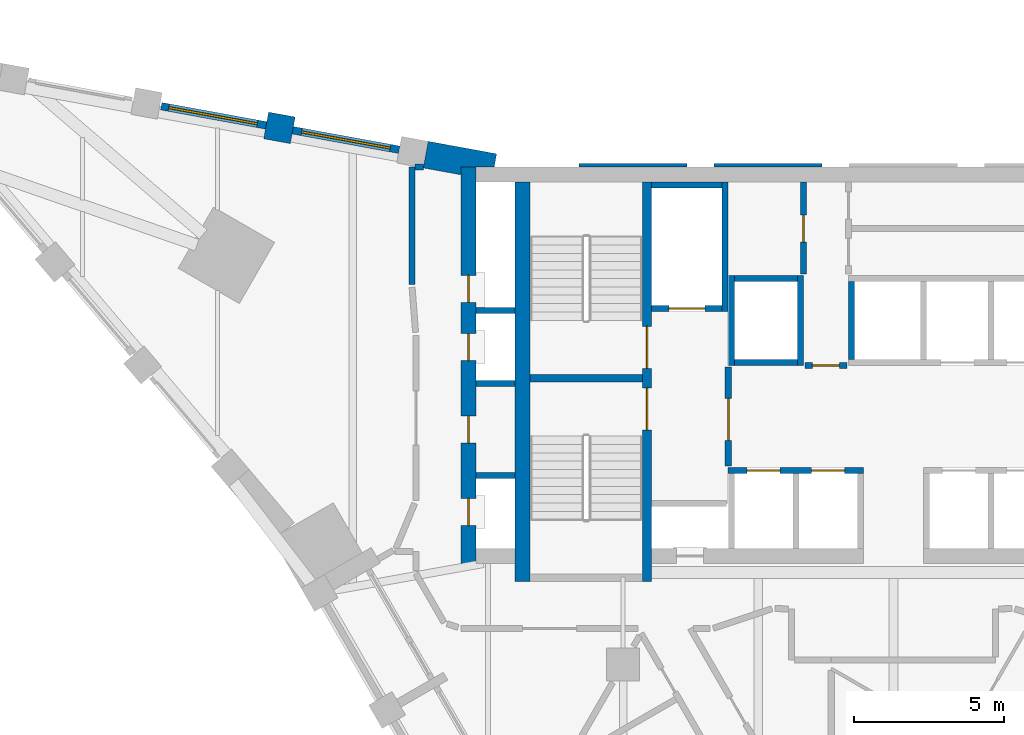
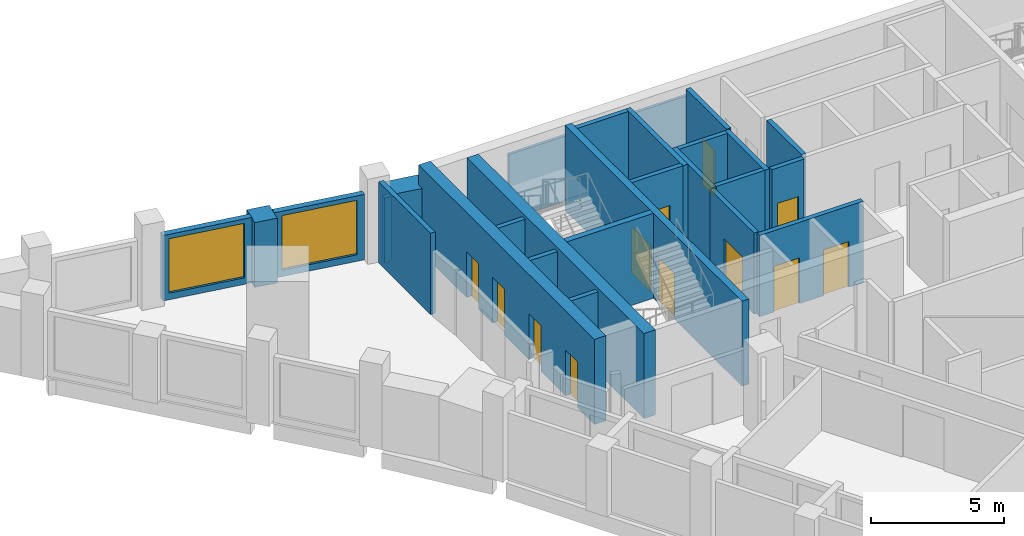
# One storey, part 6 of 9: 27 walls, 12 doors, 2 windows, 14 openings.
"""IFC4 building model written with IfcOpenShell, lengths in metres."""

from ifc_helpers import new_model, si_unit, direction, frame, frame_2d, origin, place, context, subcontext, project, spatial, polyline, rectangle, outline, extrude, material, layer, layer_set, type_object, element, fill, save


model = new_model("IFC4")

# Units and contexts
model_context = context("Model", 3, precision=1e-05, world=origin(), true_north=direction((0.0, 1.0)))
body_context = subcontext(model_context, "Body", "Model", "MODEL_VIEW")
ifc_project = project(units=[si_unit("LENGTHUNIT", "METRE"), si_unit("AREAUNIT", "SQUARE_METRE"), si_unit("VOLUMEUNIT", "CUBIC_METRE"), si_unit("PLANEANGLEUNIT", "RADIAN"), si_unit("MASSUNIT", "GRAM", prefix="KILO")], contexts=[model_context])

# Site, building, storey
site_placement = place(None, origin())
site = spatial("IfcSite", under=ifc_project, at=site_placement, CompositionType="ELEMENT")
building_placement = place(site_placement, origin())
building = spatial("IfcBuilding", under=site, at=building_placement, Name="Calabash Gate Tower", CompositionType="ELEMENT")
storey_placement = place(building_placement, frame((0.0, 0.0, 239.300048828125)))
storey = spatial("IfcBuildingStorey", under=building, at=storey_placement, Name="L57", CompositionType="ELEMENT", Elevation=239.300048828125)

# Walls
ifc_material_1 = material(Name="Terracotta brick masonry, exposed face", Category="masonry")
ifc_layer_1 = layer(ifc_material_1, 0.89990234375)
ifc_layer_set_1 = layer_set([ifc_layer_1], Name="Brick end wall 900")
wall_type_1 = type_object("IfcWallType", Name="Brick end wall 900", PredefinedType="SOLIDWALL", material=ifc_layer_set_1)
wall_1_placement = place(storey_placement, frame((-20.52099609375, 19.91796875, 0.0), z_axis=(0.0, 0.0, 1.0), x_axis=(0.180126650564, 0.983643426124, 0.0)))
element("IfcWall", 1, at=wall_1_placement, inside=storey, type_object=wall_type_1, Name="Brick pier S16 wedge5.1", PredefinedType="SOLIDWALL", context=body_context, shape_type="SweptSolid", body=[
    extrude(rectangle(XDim=0.89990234375, YDim=0.89990234375, at=frame_2d((0.449951171875, 0.0))), origin(), (0.0, 0.0, 1.0), 2.973388671875),
])
wall_2_placement = place(storey_placement, origin())
element("IfcWall", 2, at=wall_2_placement, inside=storey, type_object=wall_type_1, Name="Brick end wall S16 1", PredefinedType="SOLIDWALL", context=body_context, shape_type="SweptSolid", body=[
    extrude(outline(polyline([(-15.651611328125, 19.02734375), (-15.65185546875, 19.027099609375), (-14.39990234375, 18.798095703125), (-14.39990234375, 19.052490234375), (-13.291015625, 19.052490234375), (-13.2099609375, 19.4951171875), (-15.489501953125, 19.912353515625), (-15.6513671875, 19.02734375), (-15.651611328125, 19.02734375)])), origin(), (0.0, 0.0, 1.0), 2.973388671875),
])
ifc_material_2 = material(Name="Concrete C70/85", Category="concrete")
ifc_layer_2 = layer(ifc_material_2, 0.25)
ifc_layer_set_2 = layer_set([ifc_layer_2], Name="Core wall 250 Concrete C70/85")
wall_type_2 = type_object("IfcWallType", Name="Core wall 250 Concrete C70/85", PredefinedType="SHEAR", material=ifc_layer_set_2)
wall_3_placement = place(storey_placement, frame((-12.10009765625, 12.027587890625, 0.0), z_axis=(0.0, 0.0, 1.0), x_axis=(1.0, 0.0, 0.0)))
element("IfcWall", 3, at=wall_3_placement, inside=storey, type_object=wall_type_2, Name="Core wall Z4-MIDW L57", PredefinedType="SHEAR", context=body_context, shape_type="SweptSolid", body=[
    extrude(rectangle(XDim=3.75, YDim=0.25, at=frame_2d((1.875, 0.0))), origin(), (0.0, 0.0, 1.0), 3.89990234375),
])

# Wall, openings, doors
ifc_material_3 = material(Name="Concrete C70/85", Category="concrete")
ifc_layer_3 = layer(ifc_material_3, 0.300048828125)
ifc_layer_set_3 = layer_set([ifc_layer_3], Name="Core wall 300 Concrete C70/85")
wall_type_3 = type_object("IfcWallType", Name="Core wall 300 Concrete C70/85", PredefinedType="SHEAR", material=ifc_layer_set_3)
wall_4_placement = place(storey_placement, frame((-8.199951171875, 5.252685546875, 0.0), z_axis=(0.0, 0.0, 1.0), x_axis=(0.0, 1.0, 0.0)))
wall_4 = element("IfcWall", 4, at=wall_4_placement, inside=storey, type_object=wall_type_3, Name="Core wall Z4-PARTW L57", PredefinedType="SHEAR", context=body_context, shape_type="SweptSolid", body=[
    extrude(rectangle(XDim=13.2998046875, YDim=0.300048828125, at=frame_2d((6.64990234375, 0.0))), origin(), (0.0, 0.0, 1.0), 3.89990234375),
])
opening_1_placement = place(wall_4_placement, frame((7.10009765625, 0.0, 0.0)))
opening_1 = element("IfcOpeningElement", 5, at=opening_1_placement, cuts=wall_4, Name="Opening O8-017", PredefinedType="OPENING", context=body_context, shape_type="SweptSolid", body=[
    extrude(rectangle(XDim=1.39990234375, YDim=2.10009765625, at=frame_2d((0.699951171875, 1.050048828125))), frame((0.0, 0.159912109375, 0.0), z_axis=(0.0, -1.0, 0.0), x_axis=(1.0, 0.0, 0.0)), (0.0, 0.0, 1.0), 0.320068359375),
])
opening_2_placement = place(wall_4_placement, frame((5.050048828125, 0.0, 0.0)))
opening_2 = element("IfcOpeningElement", 6, at=opening_2_placement, cuts=wall_4, Name="Opening O8-018", PredefinedType="OPENING", context=body_context, shape_type="SweptSolid", body=[
    extrude(rectangle(XDim=1.39990234375, YDim=2.10009765625, at=frame_2d((0.699951171875, 1.050048828125))), frame((0.0, 0.159912109375, 0.0), z_axis=(0.0, -1.0, 0.0), x_axis=(1.0, 0.0, 0.0)), (0.0, 0.0, 1.0), 0.320068359375),
])
ifc_material_4 = material(Name="Steel fire door set with fire-resisting glazing", Category="steel")
door_type_1 = type_object("IfcDoorType", Name="Fire door D05 1400x2100 FD90", OperationType="NOTDEFINED", PredefinedType="DOOR", material=ifc_material_4)
door_1_placement = place(opening_1_placement, origin())
door_1 = element("IfcDoor", 7, at=door_1_placement, inside=storey, type_object=door_type_1, Name="Exit stair door ST1", OperationType="SINGLE_SWING_LEFT", OverallHeight=2.10009765625, OverallWidth=1.39990234375, PredefinedType="DOOR", context=body_context, shape_type="SweptSolid", body=[
    extrude(rectangle(XDim=1.39990234375, YDim=2.10009765625, at=frame_2d((0.699951171875, 1.050048828125))), frame((0.0, 0.02490234375, 0.0), z_axis=(0.0, -1.0, 0.0), x_axis=(1.0, 0.0, 0.0)), (0.0, 0.0, 1.0), 0.050048828125),
])
fill(opening_1, door_1)
door_2_placement = place(opening_2_placement, origin())
door_2 = element("IfcDoor", 8, at=door_2_placement, inside=storey, type_object=door_type_1, Name="Exit stair door ST2", OperationType="SINGLE_SWING_LEFT", OverallHeight=2.10009765625, OverallWidth=1.39990234375, PredefinedType="DOOR", context=body_context, shape_type="SweptSolid", body=[
    extrude(rectangle(XDim=1.39990234375, YDim=2.10009765625, at=frame_2d((0.699951171875, 1.050048828125))), frame((0.0, 0.02490234375, 0.0), z_axis=(0.0, -1.0, 0.0), x_axis=(1.0, 0.0, 0.0)), (0.0, 0.0, 1.0), 0.050048828125),
])
fill(opening_2, door_2)

# Wall
ifc_material_5 = material(Name="Concrete C70/85", Category="concrete")
ifc_layer_4 = layer(ifc_material_5, 0.5)
ifc_layer_set_4 = layer_set([ifc_layer_4], Name="Core wall 500 Concrete C70/85")
wall_type_4 = type_object("IfcWallType", Name="Core wall 500 Concrete C70/85", PredefinedType="SHEAR", material=ifc_layer_set_4)
wall_5_placement = place(storey_placement, frame((-12.35009765625, 5.252685546875, 0.0), z_axis=(0.0, 0.0, 1.0), x_axis=(0.0, 1.0, 0.0)))
element("IfcWall", 9, at=wall_5_placement, inside=storey, type_object=wall_type_4, Name="Core wall Z4-COLW L57", PredefinedType="SHEAR", context=body_context, shape_type="SweptSolid", body=[
    extrude(rectangle(XDim=13.2998046875, YDim=0.5, at=frame_2d((6.64990234375, 0.0))), origin(), (0.0, 0.0, 1.0), 3.89990234375),
])

# Wall, openings, doors
wall_6_placement = place(storey_placement, frame((-14.14990234375, 5.8525390625, 0.0), z_axis=(0.0, 0.0, 1.0), x_axis=(0.0, 1.0, 0.0)))
wall_6 = element("IfcWall", 10, at=wall_6_placement, inside=storey, type_object=wall_type_4, Name="Core wall Z4-ENDW L57", PredefinedType="SHEAR", context=body_context, shape_type="SweptSolid", body=[
    extrude(rectangle(XDim=13.199951171875, YDim=0.5, at=frame_2d((6.60009765625, 0.0))), origin(), (0.0, 0.0, 1.0), 3.89990234375),
])
opening_3_placement = place(wall_6_placement, frame((1.27001953125, 0.0, 0.0)))
opening_3 = element("IfcOpeningElement", 11, at=opening_3_placement, cuts=wall_6, Name="Opening O8-005", PredefinedType="OPENING", context=body_context, shape_type="SweptSolid", body=[
    extrude(rectangle(XDim=0.89990234375, YDim=2.10009765625, at=frame_2d((0.449951171875, 1.050048828125))), frame((0.0, 0.260009765625, 0.0), z_axis=(0.0, -1.0, 0.0), x_axis=(1.0, 0.0, 0.0)), (0.0, 0.0, 1.0), 0.52001953125),
])
opening_4_placement = place(wall_6_placement, frame((4.014892578125, 0.0, 0.0)))
opening_4 = element("IfcOpeningElement", 12, at=opening_4_placement, cuts=wall_6, Name="Opening O8-006", PredefinedType="OPENING", context=body_context, shape_type="SweptSolid", body=[
    extrude(rectangle(XDim=0.89990234375, YDim=2.10009765625, at=frame_2d((0.449951171875, 1.050048828125))), frame((0.0, 0.260009765625, 0.0), z_axis=(0.0, -1.0, 0.0), x_axis=(1.0, 0.0, 0.0)), (0.0, 0.0, 1.0), 0.52001953125),
])
opening_5_placement = place(wall_6_placement, frame((6.760009765625, 0.0, 0.0)))
opening_5 = element("IfcOpeningElement", 13, at=opening_5_placement, cuts=wall_6, Name="Opening O8-007", PredefinedType="OPENING", context=body_context, shape_type="SweptSolid", body=[
    extrude(rectangle(XDim=0.89990234375, YDim=2.10009765625, at=frame_2d((0.449951171875, 1.050048828125))), frame((0.0, 0.260009765625, 0.0), z_axis=(0.0, -1.0, 0.0), x_axis=(1.0, 0.0, 0.0)), (0.0, 0.0, 1.0), 0.52001953125),
])
opening_6_placement = place(wall_6_placement, frame((8.697509765625, 0.0, 0.0)))
opening_6 = element("IfcOpeningElement", 14, at=opening_6_placement, cuts=wall_6, Name="Opening O8-008", PredefinedType="OPENING", context=body_context, shape_type="SweptSolid", body=[
    extrude(rectangle(XDim=0.89990234375, YDim=2.10009765625, at=frame_2d((0.449951171875, 1.050048828125))), frame((0.0, 0.260009765625, 0.0), z_axis=(0.0, -1.0, 0.0), x_axis=(1.0, 0.0, 0.0)), (0.0, 0.0, 1.0), 0.52001953125),
])
ifc_material_6 = material(Name="Steel fire door set with fire-resisting glazing", Category="steel")
door_type_2 = type_object("IfcDoorType", Name="Fire door D06 900x2100 FD60", OperationType="NOTDEFINED", PredefinedType="DOOR", material=ifc_material_6)
door_3_placement = place(opening_3_placement, origin())
door_3 = element("IfcDoor", 15, at=door_3_placement, inside=storey, type_object=door_type_2, Name="Comms Riser door", OperationType="SINGLE_SWING_LEFT", OverallHeight=2.10009765625, OverallWidth=0.89990234375, PredefinedType="DOOR", context=body_context, shape_type="SweptSolid", body=[
    extrude(rectangle(XDim=0.89990234375, YDim=2.10009765625, at=frame_2d((0.449951171875, 1.050048828125))), frame((0.0, 0.02490234375, 0.0), z_axis=(0.0, -1.0, 0.0), x_axis=(1.0, 0.0, 0.0)), (0.0, 0.0, 1.0), 0.050048828125),
])
fill(opening_3, door_3)
door_4_placement = place(opening_4_placement, origin())
door_4 = element("IfcDoor", 16, at=door_4_placement, inside=storey, type_object=door_type_2, Name="Cleaner's Store door", OperationType="SINGLE_SWING_LEFT", OverallHeight=2.10009765625, OverallWidth=0.89990234375, PredefinedType="DOOR", context=body_context, shape_type="SweptSolid", body=[
    extrude(rectangle(XDim=0.89990234375, YDim=2.10009765625, at=frame_2d((0.449951171875, 1.050048828125))), frame((0.0, 0.02490234375, 0.0), z_axis=(0.0, -1.0, 0.0), x_axis=(1.0, 0.0, 0.0)), (0.0, 0.0, 1.0), 0.050048828125),
])
fill(opening_4, door_4)
door_5_placement = place(opening_5_placement, origin())
door_5 = element("IfcDoor", 17, at=door_5_placement, inside=storey, type_object=door_type_2, Name="Duct Riser door", OperationType="SINGLE_SWING_LEFT", OverallHeight=2.10009765625, OverallWidth=0.89990234375, PredefinedType="DOOR", context=body_context, shape_type="SweptSolid", body=[
    extrude(rectangle(XDim=0.89990234375, YDim=2.10009765625, at=frame_2d((0.449951171875, 1.050048828125))), frame((0.0, 0.02490234375, 0.0), z_axis=(0.0, -1.0, 0.0), x_axis=(1.0, 0.0, 0.0)), (0.0, 0.0, 1.0), 0.050048828125),
])
fill(opening_5, door_5)
door_6_placement = place(opening_6_placement, origin())
door_6 = element("IfcDoor", 18, at=door_6_placement, inside=storey, type_object=door_type_2, Name="Electrical Riser door", OperationType="SINGLE_SWING_LEFT", OverallHeight=2.10009765625, OverallWidth=0.89990234375, PredefinedType="DOOR", context=body_context, shape_type="SweptSolid", body=[
    extrude(rectangle(XDim=0.89990234375, YDim=2.10009765625, at=frame_2d((0.449951171875, 1.050048828125))), frame((0.0, 0.02490234375, 0.0), z_axis=(0.0, -1.0, 0.0), x_axis=(1.0, 0.0, 0.0)), (0.0, 0.0, 1.0), 0.050048828125),
])
fill(opening_6, door_6)

# Walls
ifc_material_7 = material(Name="Gypsum board on steel studs, mineral wool", Category="steel")
ifc_layer_5 = layer(ifc_material_7, 0.199951171875)
ifc_layer_set_5 = layer_set([ifc_layer_5], Name="Partition 200 gypsum board EI 60")
wall_type_5 = type_object("IfcWallType", Name="Partition 200 gypsum board EI 60", PredefinedType="PARTITIONING", material=ifc_layer_set_5)
wall_7_placement = place(storey_placement, frame((-16.031982421875, 15.152587890625, 0.0), z_axis=(0.0, 0.0, 1.0), x_axis=(0.0, 1.0, 0.0)))
element("IfcWall", 19, at=wall_7_placement, inside=storey, type_object=wall_type_5, Name="Partition", PredefinedType="PARTITIONING", context=body_context, shape_type="SweptSolid", body=[
    extrude(rectangle(XDim=3.900146484375, YDim=0.199951171875, at=frame_2d((1.9501953125, 0.0))), origin(), (0.0, 0.0, 1.0), 3.72998046875),
])
wall_8_placement = place(storey_placement, frame((-15.931884765625, 19.052734375, 0.0), z_axis=(0.0, 0.0, 1.0), x_axis=(1.0, 0.0, 0.0)))
element("IfcWall", 20, at=wall_8_placement, inside=storey, type_object=wall_type_5, Name="Partition", PredefinedType="PARTITIONING", context=body_context, shape_type="SweptSolid", body=[
    extrude(rectangle(XDim=0.28515625, YDim=0.199951171875, at=frame_2d((0.142578125, 0.0))), origin(), (0.0, 0.0, 1.0), 2.973388671875),
])

# Wall, opening, window
ifc_material_8 = material(Name="Aluminium framed window wall with insulated spandrel", Category="aluminium")
ifc_layer_6 = layer(ifc_material_8, 0.25)
ifc_layer_set_6 = layer_set([ifc_layer_6], Name="Prow window wall 250")
wall_type_6 = type_object("IfcWallType", Name="Prow window wall 250", PredefinedType="ELEMENTEDWALL", material=ifc_layer_set_6)
wall_9_placement = place(storey_placement, frame((-16.4560546875, 19.631591796875, 0.0), z_axis=(0.0, 0.0, 1.0), x_axis=(-0.983669647318, 0.17998340186, 0.0)))
wall_9 = element("IfcWall", 21, at=wall_9_placement, inside=storey, type_object=wall_type_6, Name="Prow window wall S16 wedge5.1", PredefinedType="ELEMENTEDWALL", context=body_context, shape_type="SweptSolid", body=[
    extrude(rectangle(XDim=3.60009765625, YDim=0.25, at=frame_2d((1.800048828125, 0.0))), origin(), (0.0, 0.0, 1.0), 3.0),
])
opening_7_placement = place(wall_9_placement, frame((0.300048828125, 0.0, 0.300048828125)))
opening_7 = element("IfcOpeningElement", 22, at=opening_7_placement, cuts=wall_9, Name="Opening WP2", PredefinedType="OPENING", context=body_context, shape_type="SweptSolid", body=[
    extrude(rectangle(XDim=3.0, YDim=2.5, at=frame_2d((1.5, 1.25))), frame((0.0, 0.135009765625, 0.0), z_axis=(0.0, -1.0, 0.0), x_axis=(1.0, 0.0, 0.0)), (0.0, 0.0, 1.0), 0.27001953125),
])
ifc_material_9 = material(Name="Anodised aluminium frame, bronze finish, impact-rated laminated clear glazing", Category="aluminium")
window_type = type_object("IfcWindowType", Name="Window WP2 3000x2500", PartitioningType="DOUBLE_PANEL_VERTICAL", PredefinedType="WINDOW", material=ifc_material_9)
window_1_placement = place(opening_7_placement, origin())
window_1 = element("IfcWindow", 23, at=window_1_placement, inside=storey, type_object=window_type, Name="Prow window WP2 S16 wedge5.1", OverallHeight=2.5, OverallWidth=3.0, PartitioningType="SINGLE_PANEL", PredefinedType="WINDOW", context=body_context, shape_type="SweptSolid", body=[
    extrude(rectangle(XDim=3.0, YDim=2.5, at=frame_2d((1.5, 1.25))), frame((0.0, 0.030029296875, 0.0), z_axis=(0.0, -1.0, 0.0), x_axis=(1.0, 0.0, 0.0)), (0.0, 0.0, 1.0), 0.06005859375),
])
fill(opening_7, window_1)

wall_10_placement = place(storey_placement, frame((-20.880615234375, 20.441162109375, 0.0), z_axis=(0.0, 0.0, 1.0), x_axis=(-0.98366583261, 0.180004249274, 0.0)))
wall_10 = element("IfcWall", 24, at=wall_10_placement, inside=storey, type_object=wall_type_6, Name="Prow window wall S16 wedge5.2", PredefinedType="ELEMENTEDWALL", context=body_context, shape_type="SweptSolid", body=[
    extrude(rectangle(XDim=3.55224609375, YDim=0.25, at=frame_2d((1.776123046875, 0.0))), origin(), (0.0, 0.0, 1.0), 3.0),
])
opening_8_placement = place(wall_10_placement, frame((0.302001953125, 0.0, 0.300048828125)))
opening_8 = element("IfcOpeningElement", 25, at=opening_8_placement, cuts=wall_10, Name="Opening WP2", PredefinedType="OPENING", context=body_context, shape_type="SweptSolid", body=[
    extrude(rectangle(XDim=3.0, YDim=2.5, at=frame_2d((1.5, 1.25))), frame((0.0, 0.135009765625, 0.0), z_axis=(0.0, -1.0, 0.0), x_axis=(1.0, 0.0, 0.0)), (0.0, 0.0, 1.0), 0.27001953125),
])
window_2_placement = place(opening_8_placement, origin())
window_2 = element("IfcWindow", 26, at=window_2_placement, inside=storey, type_object=window_type, Name="Prow window WP2 S16 wedge5.2", OverallHeight=2.5, OverallWidth=3.0, PartitioningType="SINGLE_PANEL", PredefinedType="WINDOW", context=body_context, shape_type="SweptSolid", body=[
    extrude(rectangle(XDim=3.0, YDim=2.5, at=frame_2d((1.5, 1.25))), frame((0.0, 0.030029296875, 0.0), z_axis=(0.0, -1.0, 0.0), x_axis=(1.0, 0.0, 0.0)), (0.0, 0.0, 1.0), 0.06005859375),
])
fill(opening_8, window_2)

# Wall
ifc_material_10 = material(Name="Concrete C40/50", Category="concrete")
ifc_layer_7 = layer(ifc_material_10, 0.199951171875)
ifc_layer_set_7 = layer_set([ifc_layer_7], Name="Shaft wall 200 Concrete C40/50")
wall_type_7 = type_object("IfcWallType", Name="Shaft wall 200 Concrete C40/50", PredefinedType="SOLIDWALL", material=ifc_layer_set_7)
wall_11_placement = place(storey_placement, frame((-13.89990234375, 8.79248046875, 0.0), z_axis=(0.0, 0.0, 1.0), x_axis=(1.0, 0.0, 0.0)))
element("IfcWall", 27, at=wall_11_placement, inside=storey, type_object=wall_type_7, Name="Shaft wall", PredefinedType="SOLIDWALL", context=body_context, shape_type="SweptSolid", body=[
    extrude(rectangle(XDim=1.2998046875, YDim=0.199951171875, at=frame_2d((0.64990234375, 0.0))), origin(), (0.0, 0.0, 1.0), 3.72998046875),
])

# Wall, openings, doors
wall_12_placement = place(storey_placement, frame((-5.5, 8.95263671875, 0.0), z_axis=(0.0, 0.0, 1.0), x_axis=(1.0, 0.0, 0.0)))
wall_12 = element("IfcWall", 28, at=wall_12_placement, inside=storey, type_object=wall_type_7, Name="Shaft wall", PredefinedType="SOLIDWALL", context=body_context, shape_type="SweptSolid", body=[
    extrude(rectangle(XDim=4.5, YDim=0.199951171875, at=frame_2d((2.25, 0.0))), origin(), (0.0, 0.0, 1.0), 3.72998046875),
])
opening_9_placement = place(wall_12_placement, frame((0.625, 0.0, 0.0)))
opening_9 = element("IfcOpeningElement", 29, at=opening_9_placement, cuts=wall_12, Name="Opening LD-HR1", PredefinedType="OPENING", context=body_context, shape_type="SweptSolid", body=[
    extrude(rectangle(XDim=1.10009765625, YDim=2.10009765625, at=frame_2d((0.550048828125, 1.050048828125))), frame((0.0, 0.10986328125, 0.0), z_axis=(0.0, -1.0, 0.0), x_axis=(1.0, 0.0, 0.0)), (0.0, 0.0, 1.0), 0.219970703125),
])
opening_10_placement = place(wall_12_placement, frame((2.77490234375, 0.0, 0.0)))
opening_10 = element("IfcOpeningElement", 30, at=opening_10_placement, cuts=wall_12, Name="Opening LD-HR2", PredefinedType="OPENING", context=body_context, shape_type="SweptSolid", body=[
    extrude(rectangle(XDim=1.10009765625, YDim=2.10009765625, at=frame_2d((0.550048828125, 1.050048828125))), frame((0.0, 0.10986328125, 0.0), z_axis=(0.0, -1.0, 0.0), x_axis=(1.0, 0.0, 0.0)), (0.0, 0.0, 1.0), 0.219970703125),
])
ifc_material_11 = material(Name="Stainless steel sliding door leaves", Category="steel")
door_type_3 = type_object("IfcDoorType", Name="Lift landing door LS1 1100x2100 FD90", OperationType="DOUBLE_DOOR_SLIDING", PredefinedType="DOOR", material=ifc_material_11)
door_7_placement = place(opening_9_placement, origin())
door_7 = element("IfcDoor", 31, at=door_7_placement, inside=storey, type_object=door_type_3, Name="Lift landing door HR1", OperationType="DOUBLE_DOOR_SLIDING", OverallHeight=2.10009765625, OverallWidth=1.10009765625, PredefinedType="DOOR", context=body_context, shape_type="SweptSolid", body=[
    extrude(rectangle(XDim=1.10009765625, YDim=2.10009765625, at=frame_2d((0.550048828125, 1.050048828125))), frame((0.0, 0.02490234375, 0.0), z_axis=(0.0, -1.0, 0.0), x_axis=(1.0, 0.0, 0.0)), (0.0, 0.0, 1.0), 0.050048828125),
])
fill(opening_9, door_7)
door_8_placement = place(opening_10_placement, origin())
door_8 = element("IfcDoor", 32, at=door_8_placement, inside=storey, type_object=door_type_3, Name="Lift landing door HR2", OperationType="DOUBLE_DOOR_SLIDING", OverallHeight=2.10009765625, OverallWidth=1.10009765625, PredefinedType="DOOR", context=body_context, shape_type="SweptSolid", body=[
    extrude(rectangle(XDim=1.10009765625, YDim=2.10009765625, at=frame_2d((0.550048828125, 1.050048828125))), frame((0.0, 0.02490234375, 0.0), z_axis=(0.0, -1.0, 0.0), x_axis=(1.0, 0.0, 0.0)), (0.0, 0.0, 1.0), 0.050048828125),
])
fill(opening_10, door_8)

# Wall, opening, door
wall_13_placement = place(storey_placement, frame((-5.5, 9.1025390625, 0.0), z_axis=(0.0, 0.0, 1.0), x_axis=(0.0, 1.0, 0.0)))
wall_13 = element("IfcWall", 33, at=wall_13_placement, inside=storey, type_object=wall_type_7, Name="Shaft wall", PredefinedType="SOLIDWALL", context=body_context, shape_type="SweptSolid", body=[
    extrude(rectangle(XDim=3.300048828125, YDim=0.199951171875, at=frame_2d((1.64990234375, 0.0))), origin(), (0.0, 0.0, 1.0), 3.72998046875),
])
opening_11_placement = place(wall_13_placement, frame((0.85009765625, 0.0, 0.0)))
opening_11 = element("IfcOpeningElement", 34, at=opening_11_placement, cuts=wall_13, Name="Opening O8-011", PredefinedType="OPENING", context=body_context, shape_type="SweptSolid", body=[
    extrude(rectangle(XDim=1.39990234375, YDim=2.10009765625, at=frame_2d((0.699951171875, 1.050048828125))), frame((0.0, 0.10986328125, 0.0), z_axis=(0.0, -1.0, 0.0), x_axis=(1.0, 0.0, 0.0)), (0.0, 0.0, 1.0), 0.219970703125),
])
door_9_placement = place(opening_11_placement, origin())
door_9 = element("IfcDoor", 35, at=door_9_placement, inside=storey, type_object=door_type_1, Name="Firefighting Lobby W door", OperationType="SINGLE_SWING_RIGHT", OverallHeight=2.10009765625, OverallWidth=1.39990234375, PredefinedType="DOOR", context=body_context, shape_type="SweptSolid", body=[
    extrude(rectangle(XDim=1.39990234375, YDim=2.10009765625, at=frame_2d((0.699951171875, 1.050048828125))), frame((0.0, 0.02490234375, 0.0), z_axis=(0.0, -1.0, 0.0), x_axis=(1.0, 0.0, 0.0)), (0.0, 0.0, 1.0), 0.050048828125),
])
fill(opening_11, door_9)

# Wall
wall_14_placement = place(storey_placement, frame((-13.89990234375, 11.842529296875, 0.0), z_axis=(0.0, 0.0, 1.0), x_axis=(1.0, 0.0, 0.0)))
element("IfcWall", 36, at=wall_14_placement, inside=storey, type_object=wall_type_7, Name="Shaft wall", PredefinedType="SOLIDWALL", context=body_context, shape_type="SweptSolid", body=[
    extrude(rectangle(XDim=1.2998046875, YDim=0.199951171875, at=frame_2d((0.64990234375, 0.0))), origin(), (0.0, 0.0, 1.0), 3.72998046875),
])

# Wall, opening, door
wall_15_placement = place(storey_placement, frame((-2.949951171875, 12.45263671875, 0.0), z_axis=(0.0, 0.0, 1.0), x_axis=(1.0, 0.0, 0.0)))
wall_15 = element("IfcWall", 37, at=wall_15_placement, inside=storey, type_object=wall_type_7, Name="Shaft wall", PredefinedType="SOLIDWALL", context=body_context, shape_type="SweptSolid", body=[
    extrude(rectangle(XDim=1.39990234375, YDim=0.199951171875, at=frame_2d((0.699951171875, 0.0))), origin(), (0.0, 0.0, 1.0), 3.72998046875),
])
opening_12_placement = place(wall_15_placement, frame((0.25, 0.0, 0.0)))
opening_12 = element("IfcOpeningElement", 38, at=opening_12_placement, cuts=wall_15, Name="Opening O8-009", PredefinedType="OPENING", context=body_context, shape_type="SweptSolid", body=[
    extrude(rectangle(XDim=0.89990234375, YDim=2.10009765625, at=frame_2d((0.449951171875, 1.050048828125))), frame((0.0, 0.10986328125, 0.0), z_axis=(0.0, -1.0, 0.0), x_axis=(1.0, 0.0, 0.0)), (0.0, 0.0, 1.0), 0.219970703125),
])
door_10_placement = place(opening_12_placement, origin())
door_10 = element("IfcDoor", 39, at=door_10_placement, inside=storey, type_object=door_type_2, Name="Service Corridor door", OperationType="SINGLE_SWING_RIGHT", OverallHeight=2.10009765625, OverallWidth=0.89990234375, PredefinedType="DOOR", context=body_context, shape_type="SweptSolid", body=[
    extrude(rectangle(XDim=0.89990234375, YDim=2.10009765625, at=frame_2d((0.449951171875, 1.050048828125))), frame((0.0, 0.02490234375, 0.0), z_axis=(0.0, -1.0, 0.0), x_axis=(1.0, 0.0, 0.0)), (0.0, 0.0, 1.0), 0.050048828125),
])
fill(opening_12, door_10)

# Walls
wall_16_placement = place(storey_placement, frame((-5.39990234375, 12.45263671875, 0.0), z_axis=(0.0, 0.0, 1.0), x_axis=(0.0, 1.0, 0.0)))
element("IfcWall", 40, at=wall_16_placement, inside=storey, type_object=wall_type_7, Name="Shaft wall", PredefinedType="SOLIDWALL", context=body_context, shape_type="SweptSolid", body=[
    extrude(rectangle(XDim=3.0, YDim=0.199951171875, at=frame_2d((1.5, 0.0))), origin(), (0.0, 0.0, 1.0), 3.72998046875),
])
wall_17_placement = place(storey_placement, frame((-5.300048828125, 12.552490234375, 0.0), z_axis=(0.0, 0.0, 1.0), x_axis=(1.0, 0.0, 0.0)))
element("IfcWall", 41, at=wall_17_placement, inside=storey, type_object=wall_type_7, Name="Shaft wall", PredefinedType="SOLIDWALL", context=body_context, shape_type="SweptSolid", body=[
    extrude(rectangle(XDim=2.10009765625, YDim=0.199951171875, at=frame_2d((1.050048828125, 0.0))), origin(), (0.0, 0.0, 1.0), 3.72998046875),
])
wall_18_placement = place(storey_placement, frame((-3.10009765625, 12.45263671875, 0.0), z_axis=(0.0, 0.0, 1.0), x_axis=(0.0, 1.0, 0.0)))
element("IfcWall", 42, at=wall_18_placement, inside=storey, type_object=wall_type_7, Name="Shaft wall", PredefinedType="SOLIDWALL", context=body_context, shape_type="SweptSolid", body=[
    extrude(rectangle(XDim=3.0, YDim=0.199951171875, at=frame_2d((1.5, 0.0))), origin(), (0.0, 0.0, 1.0), 3.72998046875),
])
wall_19_placement = place(storey_placement, frame((-1.39990234375, 12.652587890625, 0.0), z_axis=(0.0, 0.0, 1.0), x_axis=(0.0, 1.0, 0.0)))
element("IfcWall", 43, at=wall_19_placement, inside=storey, type_object=wall_type_7, Name="Shaft wall", PredefinedType="SOLIDWALL", context=body_context, shape_type="SweptSolid", body=[
    extrude(rectangle(XDim=2.60009765625, YDim=0.199951171875, at=frame_2d((1.300048828125, 0.0))), origin(), (0.0, 0.0, 1.0), 3.72998046875),
])
wall_20_placement = place(storey_placement, frame((-13.89990234375, 14.28271484375, 0.0), z_axis=(0.0, 0.0, 1.0), x_axis=(1.0, 0.0, 0.0)))
element("IfcWall", 44, at=wall_20_placement, inside=storey, type_object=wall_type_7, Name="Shaft wall", PredefinedType="SOLIDWALL", context=body_context, shape_type="SweptSolid", body=[
    extrude(rectangle(XDim=1.2998046875, YDim=0.199951171875, at=frame_2d((0.64990234375, 0.0))), origin(), (0.0, 0.0, 1.0), 3.72998046875),
])

# Wall, opening, door
wall_21_placement = place(storey_placement, frame((-8.050048828125, 14.3525390625, 0.0), z_axis=(0.0, 0.0, 1.0), x_axis=(1.0, 0.0, 0.0)))
wall_21 = element("IfcWall", 45, at=wall_21_placement, inside=storey, type_object=wall_type_7, Name="Shaft wall", PredefinedType="SOLIDWALL", context=body_context, shape_type="SweptSolid", body=[
    extrude(rectangle(XDim=2.35009765625, YDim=0.199951171875, at=frame_2d((1.175048828125, 0.0))), origin(), (0.0, 0.0, 1.0), 3.72998046875),
])
opening_13_placement = place(wall_21_placement, frame((0.574951171875, 0.0, 0.0)))
opening_13 = element("IfcOpeningElement", 46, at=opening_13_placement, cuts=wall_21, Name="Opening LD-FF1", PredefinedType="OPENING", context=body_context, shape_type="SweptSolid", body=[
    extrude(rectangle(XDim=1.199951171875, YDim=2.10009765625, at=frame_2d((0.60009765625, 1.050048828125))), frame((0.0, 0.10986328125, 0.0), z_axis=(0.0, -1.0, 0.0), x_axis=(1.0, 0.0, 0.0)), (0.0, 0.0, 1.0), 0.219970703125),
])
ifc_material_12 = material(Name="Stainless steel sliding door leaves", Category="steel")
door_type_4 = type_object("IfcDoorType", Name="Lift landing door LS3 1200x2100 FD90", OperationType="DOUBLE_DOOR_SLIDING", PredefinedType="DOOR", material=ifc_material_12)
door_11_placement = place(opening_13_placement, origin())
door_11 = element("IfcDoor", 47, at=door_11_placement, inside=storey, type_object=door_type_4, Name="Lift landing door FF1", OperationType="DOUBLE_DOOR_SLIDING", OverallHeight=2.10009765625, OverallWidth=1.199951171875, PredefinedType="DOOR", context=body_context, shape_type="SweptSolid", body=[
    extrude(rectangle(XDim=1.199951171875, YDim=2.10009765625, at=frame_2d((0.60009765625, 1.050048828125))), frame((0.0, 0.02490234375, 0.0), z_axis=(0.0, -1.0, 0.0), x_axis=(1.0, 0.0, 0.0)), (0.0, 0.0, 1.0), 0.050048828125),
])
fill(opening_13, door_11)

# Walls
wall_22_placement = place(storey_placement, frame((-5.60009765625, 14.252685546875, 0.0), z_axis=(0.0, 0.0, 1.0), x_axis=(0.0, 1.0, 0.0)))
element("IfcWall", 48, at=wall_22_placement, inside=storey, type_object=wall_type_7, Name="Shaft wall", PredefinedType="SOLIDWALL", context=body_context, shape_type="SweptSolid", body=[
    extrude(rectangle(XDim=4.2998046875, YDim=0.199951171875, at=frame_2d((2.14990234375, 0.0))), origin(), (0.0, 0.0, 1.0), 3.72998046875),
])
wall_23_placement = place(storey_placement, frame((-5.300048828125, 15.3525390625, 0.0), z_axis=(0.0, 0.0, 1.0), x_axis=(1.0, 0.0, 0.0)))
element("IfcWall", 49, at=wall_23_placement, inside=storey, type_object=wall_type_7, Name="Shaft wall", PredefinedType="SOLIDWALL", context=body_context, shape_type="SweptSolid", body=[
    extrude(rectangle(XDim=2.10009765625, YDim=0.199951171875, at=frame_2d((1.050048828125, 0.0))), origin(), (0.0, 0.0, 1.0), 3.72998046875),
])

# Wall, opening, door
wall_24_placement = place(storey_placement, frame((-3.0, 15.502685546875, 0.0), z_axis=(0.0, 0.0, 1.0), x_axis=(0.0, 1.0, 0.0)))
wall_24 = element("IfcWall", 50, at=wall_24_placement, inside=storey, type_object=wall_type_7, Name="Shaft wall", PredefinedType="SOLIDWALL", context=body_context, shape_type="SweptSolid", body=[
    extrude(rectangle(XDim=3.0498046875, YDim=0.199951171875, at=frame_2d((1.52490234375, 0.0))), origin(), (0.0, 0.0, 1.0), 3.72998046875),
])
opening_14_placement = place(wall_24_placement, frame((1.050048828125, 0.0, 0.0)))
opening_14 = element("IfcOpeningElement", 51, at=opening_14_placement, cuts=wall_24, Name="Opening O8-012", PredefinedType="OPENING", context=body_context, shape_type="SweptSolid", body=[
    extrude(rectangle(XDim=0.89990234375, YDim=2.10009765625, at=frame_2d((0.449951171875, 1.050048828125))), frame((0.0, 0.10986328125, 0.0), z_axis=(0.0, -1.0, 0.0), x_axis=(1.0, 0.0, 0.0)), (0.0, 0.0, 1.0), 0.219970703125),
])
door_12_placement = place(opening_14_placement, origin())
door_12 = element("IfcDoor", 52, at=door_12_placement, inside=storey, type_object=door_type_2, Name="Accessible WC door", OperationType="SINGLE_SWING_LEFT", OverallHeight=2.10009765625, OverallWidth=0.89990234375, PredefinedType="DOOR", context=body_context, shape_type="SweptSolid", body=[
    extrude(rectangle(XDim=0.89990234375, YDim=2.10009765625, at=frame_2d((0.449951171875, 1.050048828125))), frame((0.0, 0.02490234375, 0.0), z_axis=(0.0, -1.0, 0.0), x_axis=(1.0, 0.0, 0.0)), (0.0, 0.0, 1.0), 0.050048828125),
])
fill(opening_14, door_12)

# Walls
wall_25_placement = place(storey_placement, frame((-8.050048828125, 18.45263671875, 0.0), z_axis=(0.0, 0.0, 1.0), x_axis=(1.0, 0.0, 0.0)))
element("IfcWall", 53, at=wall_25_placement, inside=storey, type_object=wall_type_7, Name="Shaft wall", PredefinedType="SOLIDWALL", context=body_context, shape_type="SweptSolid", body=[
    extrude(rectangle(XDim=2.35009765625, YDim=0.199951171875, at=frame_2d((1.175048828125, 0.0))), origin(), (0.0, 0.0, 1.0), 3.72998046875),
])
ifc_material_13 = material(Name="Terracotta brick masonry, perforated", Category="masonry")
ifc_layer_8 = layer(ifc_material_13, 0.1201171875)
ifc_layer_set_8 = layer_set([ifc_layer_8], Name="Terracotta jaali cladding B 120")
wall_type_8 = type_object("IfcWallType", Name="Terracotta jaali cladding B 120", PredefinedType="SOLIDWALL", material=ifc_layer_set_8)
wall_26_placement = place(storey_placement, origin())
element("IfcWall", 54, at=wall_26_placement, inside=storey, type_object=wall_type_8, Name="Jaali cladding S16 N4.7", PredefinedType="SOLIDWALL", context=body_context, shape_type="SweptSolid", body=[
    extrude(outline(polyline([(-10.47314453125, 19.172607421875), (-10.47314453125, 19.052490234375), (-6.873046875, 19.052490234375), (-6.873046875, 19.172607421875), (-10.47314453125, 19.172607421875)])), origin(), (0.0, 0.0, 1.0), 3.0),
])
ifc_material_14 = material(Name="Terracotta louvre blades in an aluminium frame", Category="masonry")
ifc_layer_9 = layer(ifc_material_14, 0.1201171875)
ifc_layer_set_9 = layer_set([ifc_layer_9], Name="Terracotta vent louvre cladding 120")
wall_type_9 = type_object("IfcWallType", Name="Terracotta vent louvre cladding 120", PredefinedType="ELEMENTEDWALL", material=ifc_layer_set_9)
wall_27_placement = place(storey_placement, origin())
element("IfcWall", 55, at=wall_27_placement, inside=storey, type_object=wall_type_9, Name="Vent louvre cladding S16 N4.6", PredefinedType="ELEMENTEDWALL", context=body_context, shape_type="SweptSolid", body=[
    extrude(outline(polyline([(-5.97314453125, 19.172607421875), (-5.97314453125, 19.052490234375), (-2.373046875, 19.052490234375), (-2.373046875, 19.172607421875), (-5.97314453125, 19.172607421875)])), origin(), (0.0, 0.0, 1.0), 3.0),
])

save(model, "model.ifc")
